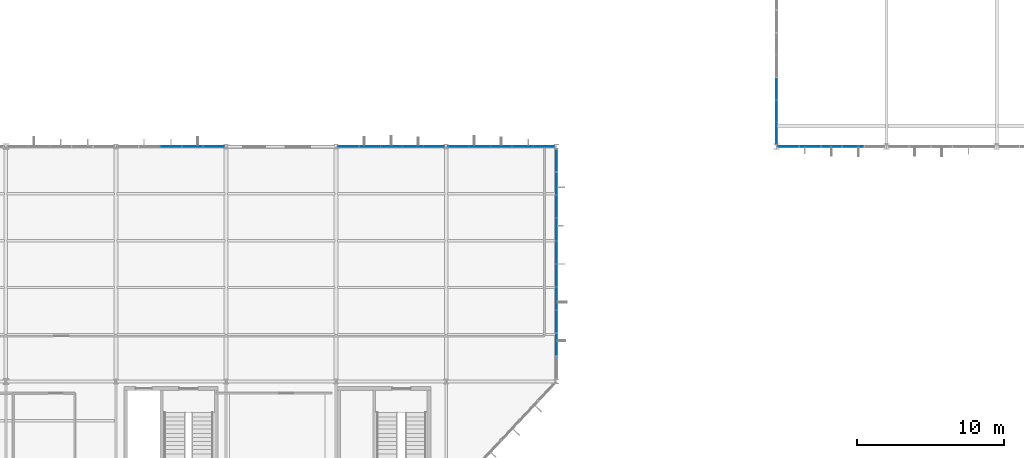
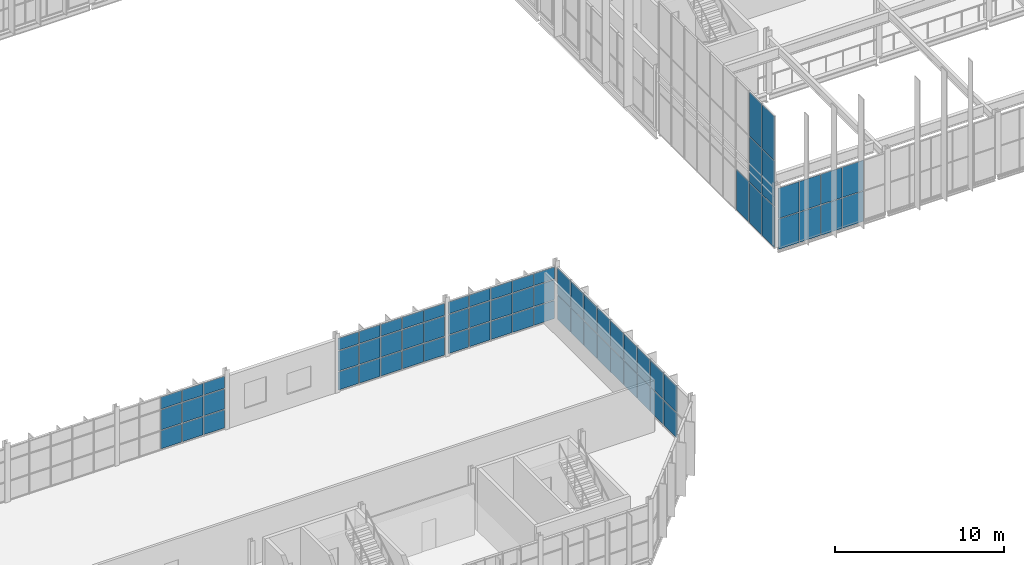
# One storey, part 270 of 324: 72 plates, 6 elements without a shape of their own.
"""IFC4 building model written with IfcOpenShell, lengths in metres."""

import ifcopenshell
import ifcopenshell.guid

model = None  # the IFC model being written
_history = None  # IfcOwnerHistory: only IFC2X3 demands one
_inside = {}  # id of a spatial element -> (the spatial element, [elements in it])
_under = {}  # id of a project, library or spatial element -> (it, [spatial elements below it])
_declared = {}  # id of a project -> (the project, [libraries it declares])
_typed = {}  # id of a type object -> (the type object, [elements of that type])
_made_of = {}  # id of a material, layer set ... -> (it, [elements and type objects made of it])


def new_model(schema):
    """Start an empty IFC model of exactly this schema.

    Asked for "IFC4X3", IfcOpenShell would pick the latest addendum, in which some entities
    have other attributes; the version numbers below select the first issue.
    IFC2X3 requires an IfcOwnerHistory on every rooted entity: one is made here for all.
    """
    global model, _history
    if schema == "IFC4X3":
        model = ifcopenshell.file(schema_version=(4, 3, 0, 0))
    else:
        model = ifcopenshell.file(schema=schema)
    _inside.clear()
    _under.clear()
    _declared.clear()
    _typed.clear()
    _made_of.clear()
    _history = None
    if model.schema == "IFC2X3":
        org = make("IfcOrganization", Name="unknown")
        user = make(
            "IfcPersonAndOrganization",
            ThePerson=make("IfcPerson", FamilyName="unknown"),
            TheOrganization=org,
        )
        app = make(
            "IfcApplication",
            ApplicationDeveloper=org,
            Version="unknown",
            ApplicationFullName="unknown",
            ApplicationIdentifier="unknown",
        )
        _history = make(
            "IfcOwnerHistory",
            OwningUser=user,
            OwningApplication=app,
            ChangeAction="ADDED",
            CreationDate=0,
        )
    return model


def make(cls, **values):
    """One entity of the class cls with the attributes given. An attribute that is None is left unset."""
    return model.create_entity(
        cls, **{name: value for name, value in values.items() if value is not None}
    )


def rooted(cls, **values):
    """An entity with a GlobalId (a new one), such as an element, a storey or a relation."""
    return make(cls, GlobalId=ifcopenshell.guid.new(), OwnerHistory=_history, **values)


def si_unit(unit_type, name, prefix=None):
    """IfcSIUnit, for example si_unit("LENGTHUNIT", "METRE", prefix="MILLI")."""
    return make("IfcSIUnit", UnitType=unit_type, Prefix=prefix, Name=name)


def assignment(units):
    """IfcUnitAssignment: the units of a project."""
    return None if units is None else make("IfcUnitAssignment", Units=units)


def point(xyz):
    """IfcCartesianPoint."""
    return None if xyz is None else make("IfcCartesianPoint", Coordinates=xyz)


def direction(xyz):
    """IfcDirection."""
    return None if xyz is None else make("IfcDirection", DirectionRatios=xyz)


def frame(location, z_axis=None, x_axis=None):
    """IfcAxis2Placement3D, a coordinate frame: its origin and axes. An axis left out is left unset."""
    return make(
        "IfcAxis2Placement3D",
        Location=point(location),
        Axis=direction(z_axis),
        RefDirection=direction(x_axis),
    )


def frame_2d(location, x_axis=None):
    """IfcAxis2Placement2D, a coordinate frame in the plane: its origin and x axis."""
    return make(
        "IfcAxis2Placement2D", Location=point(location), RefDirection=direction(x_axis)
    )


def origin():
    """The frame at (0, 0, 0) with its axes left unset."""
    return frame((0.0, 0.0, 0.0))


def origin_2d():
    """The frame at (0, 0) in the plane with its x axis left unset."""
    return frame_2d((0.0, 0.0))


def place(relative_to, where):
    """IfcLocalPlacement: puts the frame where relative to a parent placement (None: the world)."""
    return make(
        "IfcLocalPlacement", PlacementRelTo=relative_to, RelativePlacement=where
    )


def context(
    kind, dimensions, precision=None, world=None, true_north=None, identifier=None
):
    """IfcGeometricRepresentationContext, for example the 3D "Model" context."""
    return make(
        "IfcGeometricRepresentationContext",
        ContextIdentifier=identifier,
        ContextType=kind,
        CoordinateSpaceDimension=dimensions,
        Precision=precision,
        WorldCoordinateSystem=world,
        TrueNorth=true_north,
    )


def subcontext(parent, identifier, kind, view, scale=None):
    """IfcGeometricRepresentationSubContext, for example "Body" below "Model"."""
    return make(
        "IfcGeometricRepresentationSubContext",
        ContextIdentifier=identifier,
        ContextType=kind,
        ParentContext=parent,
        TargetScale=scale,
        TargetView=view,
    )


def project(units=None, contexts=None):
    """IfcProject with its units and contexts."""
    return rooted(
        "IfcProject",
        Name="project",
        RepresentationContexts=contexts,
        UnitsInContext=assignment(units),
    )


def spatial(cls, under=None, at=None, **own):
    """A site, building, storey or space (cls), placed at a placement, below another one or the project."""
    s = rooted(cls, ObjectPlacement=at, **own)
    if under is not None:
        _under.setdefault(under.id(), (under, []))[1].append(s)
    return s


def profile(cls, at=None, kind="AREA", **sizes):
    """A parametric profile (cls). Its sizes go by their IFC names, for example OverallWidth=200.0."""
    return make(cls, ProfileType=kind, Position=at, **sizes)


def rectangle(**sizes):
    """IfcRectangleProfileDef."""
    return profile("IfcRectangleProfileDef", **sizes)


def extrude(swept, where, along, depth):
    """IfcExtrudedAreaSolid: the profile swept, set in the frame where, extruded along a direction by depth."""
    return make(
        "IfcExtrudedAreaSolid",
        SweptArea=swept,
        Position=where,
        ExtrudedDirection=direction(along),
        Depth=depth,
    )


def shape(context_of_items, identifier, shape_type, items):
    """IfcShapeRepresentation: the items that make up one representation, for example the "Body"."""
    return make(
        "IfcShapeRepresentation",
        ContextOfItems=context_of_items,
        RepresentationIdentifier=identifier,
        RepresentationType=shape_type,
        Items=items,
    )


def material(Name=None, Category=None):
    """IfcMaterial."""
    return make("IfcMaterial", Name=Name, Category=Category)


def layer(
    of_material, thickness, ventilated=None, Name=None, Category=None, Priority=None
):
    """IfcMaterialLayer: one layer of a wall or slab, of a material (None: an air gap)."""
    return make(
        "IfcMaterialLayer",
        Material=of_material,
        LayerThickness=thickness,
        IsVentilated=ventilated,
        Name=Name,
        Category=Category,
        Priority=Priority,
    )


def layer_set(layers, Name=None):
    """IfcMaterialLayerSet."""
    return make("IfcMaterialLayerSet", MaterialLayers=layers, LayerSetName=Name)


def made_of(thing, what):
    """Note that an element or type object is made of a material, layer set ...; save() writes the relation."""
    if what is not None:
        _made_of.setdefault(what.id(), (what, []))[1].append(thing)
    return thing


def type_object(cls, material=None, **own):
    """A type object (cls), such as IfcWallType, which elements share."""
    return made_of(rooted(cls, **own), material)


def element(
    cls,
    number,
    at=None,
    inside=None,
    cuts=None,
    type_object=None,
    material=None,
    context=None,
    identifier="Body",
    shape_type=None,
    held_by="IfcProductDefinitionShape",
    body=None,
    shapes=None,
    **own,
):
    """One element of the class cls, such as IfcWall. Its Tag is "e" and its number.

    at: its placement. inside: the storey or other place that contains it. cuts: it is an
    opening in that element (IfcRelVoidsElement). A single representation is given by context,
    identifier, shape_type and body (its items); several are given by shapes. held_by: the class
    of the entity that holds the representations. save() writes the other relations.
    """
    e = rooted(cls, Tag="e%d" % number, ObjectPlacement=at, **own)
    if body is not None:
        shapes = [shape(context, identifier, shape_type, body)]
    if shapes is not None:
        e.Representation = make(held_by, Representations=shapes)
    if inside is not None:
        _inside.setdefault(inside.id(), (inside, []))[1].append(e)
    if cuts is not None:
        rooted(
            "IfcRelVoidsElement", RelatingBuildingElement=cuts, RelatedOpeningElement=e
        )
    if type_object is not None:
        _typed.setdefault(type_object.id(), (type_object, []))[1].append(e)
    return made_of(e, material)


def aggregate(whole, parts):
    """IfcRelAggregates: a whole, such as a stair, and the parts it consists of."""
    return rooted("IfcRelAggregates", RelatingObject=whole, RelatedObjects=parts)


def save(model, path):
    """Write the relations noted so far, then the file.

    IfcRelAggregates (storeys below a building ...), IfcRelContainedInSpatialStructure (elements
    in a storey), IfcRelDefinesByType, IfcRelAssociatesMaterial and IfcRelDeclares: one each for
    every whole, place, type object, material and project.
    """
    for whole, parts in _under.values():
        aggregate(whole, parts)
    for where, things in _inside.values():
        rooted(
            "IfcRelContainedInSpatialStructure",
            RelatedElements=things,
            RelatingStructure=where,
        )
    for kind, things in _typed.values():
        rooted("IfcRelDefinesByType", RelatedObjects=things, RelatingType=kind)
    for what, things in _made_of.values():
        rooted("IfcRelAssociatesMaterial", RelatedObjects=things, RelatingMaterial=what)
    for by, libraries in _declared.values():
        rooted("IfcRelDeclares", RelatingContext=by, RelatedDefinitions=libraries)
    model.write(path)


model = new_model("IFC4")

# Units and contexts
model_context = context("Model", 3, precision=1e-05, world=origin(), true_north=direction((0.0, 1.0)))
body_context = subcontext(model_context, "Body", "Model", "MODEL_VIEW")
ifc_project = project(units=[si_unit("LENGTHUNIT", "METRE"), si_unit("AREAUNIT", "SQUARE_METRE"), si_unit("VOLUMEUNIT", "CUBIC_METRE"), si_unit("PLANEANGLEUNIT", "RADIAN"), si_unit("MASSUNIT", "GRAM", prefix="KILO")], contexts=[model_context])

# Site, building, storey
site_placement = place(None, origin())
site = spatial("IfcSite", under=ifc_project, at=site_placement, CompositionType="ELEMENT")
building_placement = place(site_placement, origin())
building = spatial("IfcBuilding", under=site, at=building_placement, Name="Solvenia Promenade Tram Depot", CompositionType="ELEMENT")
storey_placement = place(building_placement, frame((0.0, 0.0, 4.5)))
storey = spatial("IfcBuildingStorey", under=building, at=storey_placement, Name="L01", CompositionType="ELEMENT", Elevation=4.5)

# Curtain wall, plates
ifc_material_1 = material(Name="Anodized aluminium AW-6063 T6", Category="aluminium")
ifc_layer_1 = layer(ifc_material_1, 0.080078125, Name="Anodized aluminium AW-6063 T6", Category="aluminium")
ifc_layer_set_1 = layer_set([ifc_layer_1], Name="Anodized aluminium AW-6063 T6")
curtain_wall_type_1 = type_object("IfcCurtainWallType", Name="CW-Clerest-1500", PredefinedType="NOTDEFINED", material=ifc_layer_set_1)
curtain_wall_1_placement = place(storey_placement, origin())
curtain_wall_1 = element("IfcCurtainWall", 1, at=curtain_wall_1_placement, inside=storey, type_object=curtain_wall_type_1, Name="Curtain Wall CW-V2S-L1-01", PredefinedType="NOTDEFINED")
ifc_material_2 = material(Name="Double low-e argon insulated glass", Category="glass")
ifc_layer_2 = layer(ifc_material_2, 0.031982421875, Name="Double low-e argon insulated glass", Category="glass")
ifc_layer_set_2 = layer_set([ifc_layer_2], Name="Double low-e argon insulated glass")
plate_type = type_object("IfcPlateType", Name="CWP-Panel-2", PredefinedType="CURTAIN_PANEL", material=ifc_layer_set_2)
plate_1_placement = place(storey_placement, frame((105.82763671875, 24.0, -0.294921875), z_axis=(0.0, 0.0, 1.0), x_axis=(1.0, 0.0, 0.0)))
plate_1 = element("IfcPlate", 2, at=plate_1_placement, type_object=plate_type, Name="CW-4 panel 1.1", PredefinedType="CURTAIN_PANEL", context=body_context, shape_type="SweptSolid", body=[
    extrude(rectangle(XDim=1.385498046875, YDim=0.031982421875, at=origin_2d()), origin(), (0.0, 0.0, 1.0), 2.16748046875),
])
plate_2_placement = place(storey_placement, frame((105.82763671875, 24.0, 1.927490234375), z_axis=(0.0, 0.0, 1.0), x_axis=(1.0, 0.0, 0.0)))
plate_2 = element("IfcPlate", 3, at=plate_2_placement, type_object=plate_type, Name="CW-4 panel 1.2", PredefinedType="CURTAIN_PANEL", context=body_context, shape_type="SweptSolid", body=[
    extrude(rectangle(XDim=1.385498046875, YDim=0.031982421875, at=origin_2d()), origin(), (0.0, 0.0, 1.0), 2.16748046875),
])
plate_3_placement = place(storey_placement, frame((107.281982421875, 24.0, -0.294921875), z_axis=(0.0, 0.0, 1.0), x_axis=(1.0, 0.0, 0.0)))
plate_3 = element("IfcPlate", 4, at=plate_3_placement, type_object=plate_type, Name="CW-4 panel 2.1", PredefinedType="CURTAIN_PANEL", context=body_context, shape_type="SweptSolid", body=[
    extrude(rectangle(XDim=1.4130859375, YDim=0.031982421875, at=origin_2d()), origin(), (0.0, 0.0, 1.0), 2.16748046875),
])
plate_4_placement = place(storey_placement, frame((107.281982421875, 24.0, 1.927490234375), z_axis=(0.0, 0.0, 1.0), x_axis=(1.0, 0.0, 0.0)))
plate_4 = element("IfcPlate", 5, at=plate_4_placement, type_object=plate_type, Name="CW-4 panel 2.2", PredefinedType="CURTAIN_PANEL", context=body_context, shape_type="SweptSolid", body=[
    extrude(rectangle(XDim=1.4130859375, YDim=0.031982421875, at=origin_2d()), origin(), (0.0, 0.0, 1.0), 2.16748046875),
])
plate_5_placement = place(storey_placement, frame((108.75, 24.0, -0.294921875), z_axis=(0.0, 0.0, 1.0), x_axis=(1.0, 0.0, 0.0)))
plate_5 = element("IfcPlate", 6, at=plate_5_placement, type_object=plate_type, Name="CW-4 panel 3.1", PredefinedType="CURTAIN_PANEL", context=body_context, shape_type="SweptSolid", body=[
    extrude(rectangle(XDim=1.4130859375, YDim=0.031982421875, at=origin_2d()), origin(), (0.0, 0.0, 1.0), 2.16748046875),
])
plate_6_placement = place(storey_placement, frame((108.75, 24.0, 1.927490234375), z_axis=(0.0, 0.0, 1.0), x_axis=(1.0, 0.0, 0.0)))
plate_6 = element("IfcPlate", 7, at=plate_6_placement, type_object=plate_type, Name="CW-4 panel 3.2", PredefinedType="CURTAIN_PANEL", context=body_context, shape_type="SweptSolid", body=[
    extrude(rectangle(XDim=1.4130859375, YDim=0.031982421875, at=origin_2d()), origin(), (0.0, 0.0, 1.0), 2.16748046875),
])
plate_7_placement = place(storey_placement, frame((110.218017578125, 24.0, -0.294921875), z_axis=(0.0, 0.0, 1.0), x_axis=(1.0, 0.0, 0.0)))
plate_7 = element("IfcPlate", 8, at=plate_7_placement, type_object=plate_type, Name="CW-4 panel 4.1", PredefinedType="CURTAIN_PANEL", context=body_context, shape_type="SweptSolid", body=[
    extrude(rectangle(XDim=1.4130859375, YDim=0.031982421875, at=origin_2d()), origin(), (0.0, 0.0, 1.0), 2.16748046875),
])
plate_8_placement = place(storey_placement, frame((110.218017578125, 24.0, 1.927490234375), z_axis=(0.0, 0.0, 1.0), x_axis=(1.0, 0.0, 0.0)))
plate_8 = element("IfcPlate", 9, at=plate_8_placement, type_object=plate_type, Name="CW-4 panel 4.2", PredefinedType="CURTAIN_PANEL", context=body_context, shape_type="SweptSolid", body=[
    extrude(rectangle(XDim=1.4130859375, YDim=0.031982421875, at=origin_2d()), origin(), (0.0, 0.0, 1.0), 2.16748046875),
])
aggregate(curtain_wall_1, [plate_1, plate_2, plate_3, plate_4, plate_5, plate_6, plate_7, plate_8])

curtain_wall_2_placement = place(storey_placement, origin())
curtain_wall_2 = element("IfcCurtainWall", 10, at=curtain_wall_2_placement, inside=storey, type_object=curtain_wall_type_1, Name="Curtain Wall CW-V2W-CRANE-L1", PredefinedType="NOTDEFINED")
plate_9_placement = place(storey_placement, frame((105.0, 24.9248046875, -0.244873046875), z_axis=(0.0, 0.0, 1.0), x_axis=(0.0, 1.0, 0.0)))
plate_9 = element("IfcPlate", 11, at=plate_9_placement, type_object=plate_type, Name="CW-4 panel 1.1", PredefinedType="CURTAIN_PANEL", context=body_context, shape_type="SweptSolid", body=[
    extrude(rectangle(XDim=1.439697265625, YDim=0.031982421875, at=origin_2d()), origin(), (0.0, 0.0, 1.0), 2.91748046875),
])
plate_10_placement = place(storey_placement, frame((105.0, 24.9248046875, 2.7275390625), z_axis=(0.0, 0.0, 1.0), x_axis=(0.0, 1.0, 0.0)))
plate_10 = element("IfcPlate", 12, at=plate_10_placement, type_object=plate_type, Name="CW-4 panel 1.2", PredefinedType="CURTAIN_PANEL", context=body_context, shape_type="SweptSolid", body=[
    extrude(rectangle(XDim=1.439697265625, YDim=0.031982421875, at=origin_2d()), origin(), (0.0, 0.0, 1.0), 3.2451171875),
])
plate_11_placement = place(storey_placement, frame((105.0, 24.9248046875, 6.027587890625), z_axis=(0.0, 0.0, 1.0), x_axis=(0.0, 1.0, 0.0)))
plate_11 = element("IfcPlate", 13, at=plate_11_placement, type_object=plate_type, Name="CW-4 panel 1.3", PredefinedType="CURTAIN_PANEL", context=body_context, shape_type="SweptSolid", body=[
    extrude(rectangle(XDim=1.439697265625, YDim=0.031982421875, at=origin_2d()), origin(), (0.0, 0.0, 1.0), 3.16748046875),
])
plate_12_placement = place(storey_placement, frame((105.0, 26.433349609375, -0.244873046875), z_axis=(0.0, 0.0, 1.0), x_axis=(0.0, 1.0, 0.0)))
plate_12 = element("IfcPlate", 14, at=plate_12_placement, type_object=plate_type, Name="CW-4 panel 2.1", PredefinedType="CURTAIN_PANEL", context=body_context, shape_type="SweptSolid", body=[
    extrude(rectangle(XDim=1.46728515625, YDim=0.031982421875, at=origin_2d()), origin(), (0.0, 0.0, 1.0), 2.91748046875),
])
plate_13_placement = place(storey_placement, frame((105.0, 26.433349609375, 2.7275390625), z_axis=(0.0, 0.0, 1.0), x_axis=(0.0, 1.0, 0.0)))
plate_13 = element("IfcPlate", 15, at=plate_13_placement, type_object=plate_type, Name="CW-4 panel 2.2", PredefinedType="CURTAIN_PANEL", context=body_context, shape_type="SweptSolid", body=[
    extrude(rectangle(XDim=1.46728515625, YDim=0.031982421875, at=origin_2d()), origin(), (0.0, 0.0, 1.0), 3.2451171875),
])
plate_14_placement = place(storey_placement, frame((105.0, 26.433349609375, 6.027587890625), z_axis=(0.0, 0.0, 1.0), x_axis=(0.0, 1.0, 0.0)))
plate_14 = element("IfcPlate", 16, at=plate_14_placement, type_object=plate_type, Name="CW-4 panel 2.3", PredefinedType="CURTAIN_PANEL", context=body_context, shape_type="SweptSolid", body=[
    extrude(rectangle(XDim=1.46728515625, YDim=0.031982421875, at=origin_2d()), origin(), (0.0, 0.0, 1.0), 3.16748046875),
])
plate_15_placement = place(storey_placement, frame((105.0, 27.95556640625, -0.244873046875), z_axis=(0.0, 0.0, 1.0), x_axis=(0.0, 1.0, 0.0)))
plate_15 = element("IfcPlate", 17, at=plate_15_placement, type_object=plate_type, Name="CW-4 panel 3.1", PredefinedType="CURTAIN_PANEL", context=body_context, shape_type="SweptSolid", body=[
    extrude(rectangle(XDim=1.46728515625, YDim=0.031982421875, at=origin_2d()), origin(), (0.0, 0.0, 1.0), 2.91748046875),
])
aggregate(curtain_wall_2, [plate_9, plate_10, plate_11, plate_12, plate_13, plate_14, plate_15])

ifc_layer_3 = layer(ifc_material_1, 0.14990234375, Name="Anodized aluminium AW-6063 T6", Category="aluminium")
ifc_layer_set_3 = layer_set([ifc_layer_3], Name="Anodized aluminium AW-6063 T6")
curtain_wall_type_2 = type_object("IfcCurtainWallType", Name="CW-Court-1500", PredefinedType="NOTDEFINED", material=ifc_layer_set_3)
curtain_wall_3_placement = place(storey_placement, origin())
curtain_wall_3 = element("IfcCurtainWall", 18, at=curtain_wall_3_placement, inside=storey, type_object=curtain_wall_type_2, Name="Curtain Wall CW-V4N-L01-09", PredefinedType="NOTDEFINED")
plate_16_placement = place(storey_placement, frame((63.75, 24.0, 0.06494140625), z_axis=(0.0, 0.0, 1.0), x_axis=(1.0, 0.0, 0.0)))
plate_16 = element("IfcPlate", 19, at=plate_16_placement, type_object=plate_type, Name="CW-5 panel 3.1", PredefinedType="CURTAIN_PANEL", context=body_context, shape_type="SweptSolid", body=[
    extrude(rectangle(XDim=1.41796875, YDim=0.031982421875, at=origin_2d()), origin(), (0.0, 0.0, 1.0), 1.302490234375),
])
plate_17_placement = place(storey_placement, frame((63.75, 24.0, 1.432373046875), z_axis=(0.0, 0.0, 1.0), x_axis=(1.0, 0.0, 0.0)))
plate_17 = element("IfcPlate", 20, at=plate_17_placement, type_object=plate_type, Name="CW-5 panel 3.2", PredefinedType="CURTAIN_PANEL", context=body_context, shape_type="SweptSolid", body=[
    extrude(rectangle(XDim=1.41796875, YDim=0.031982421875, at=origin_2d()), origin(), (0.0, 0.0, 1.0), 1.43505859375),
])
plate_18_placement = place(storey_placement, frame((63.75, 24.0, 2.932373046875), z_axis=(0.0, 0.0, 1.0), x_axis=(1.0, 0.0, 0.0)))
plate_18 = element("IfcPlate", 21, at=plate_18_placement, type_object=plate_type, Name="CW-5 panel 3.3", PredefinedType="CURTAIN_PANEL", context=body_context, shape_type="SweptSolid", body=[
    extrude(rectangle(XDim=1.41796875, YDim=0.031982421875, at=origin_2d()), origin(), (0.0, 0.0, 1.0), 0.8525390625),
])
plate_19_placement = place(storey_placement, frame((65.218017578125, 24.0, 0.06494140625), z_axis=(0.0, 0.0, 1.0), x_axis=(1.0, 0.0, 0.0)))
plate_19 = element("IfcPlate", 22, at=plate_19_placement, type_object=plate_type, Name="CW-5 panel 4.1", PredefinedType="CURTAIN_PANEL", context=body_context, shape_type="SweptSolid", body=[
    extrude(rectangle(XDim=1.41796875, YDim=0.031982421875, at=origin_2d()), origin(), (0.0, 0.0, 1.0), 1.302490234375),
])
plate_20_placement = place(storey_placement, frame((65.218017578125, 24.0, 1.432373046875), z_axis=(0.0, 0.0, 1.0), x_axis=(1.0, 0.0, 0.0)))
plate_20 = element("IfcPlate", 23, at=plate_20_placement, type_object=plate_type, Name="CW-5 panel 4.2", PredefinedType="CURTAIN_PANEL", context=body_context, shape_type="SweptSolid", body=[
    extrude(rectangle(XDim=1.41796875, YDim=0.031982421875, at=origin_2d()), origin(), (0.0, 0.0, 1.0), 1.43505859375),
])
plate_21_placement = place(storey_placement, frame((65.218017578125, 24.0, 2.932373046875), z_axis=(0.0, 0.0, 1.0), x_axis=(1.0, 0.0, 0.0)))
plate_21 = element("IfcPlate", 24, at=plate_21_placement, type_object=plate_type, Name="CW-5 panel 4.3", PredefinedType="CURTAIN_PANEL", context=body_context, shape_type="SweptSolid", body=[
    extrude(rectangle(XDim=1.41796875, YDim=0.031982421875, at=origin_2d()), origin(), (0.0, 0.0, 1.0), 0.8525390625),
])
plate_22_placement = place(storey_placement, frame((66.673583984375, 24.0, 0.06494140625), z_axis=(0.0, 0.0, 1.0), x_axis=(1.0, 0.0, 0.0)))
plate_22 = element("IfcPlate", 25, at=plate_22_placement, type_object=plate_type, Name="CW-5 panel 5.1", PredefinedType="CURTAIN_PANEL", context=body_context, shape_type="SweptSolid", body=[
    extrude(rectangle(XDim=1.39306640625, YDim=0.031982421875, at=origin_2d()), origin(), (0.0, 0.0, 1.0), 1.302490234375),
])
plate_23_placement = place(storey_placement, frame((66.673583984375, 24.0, 1.432373046875), z_axis=(0.0, 0.0, 1.0), x_axis=(1.0, 0.0, 0.0)))
plate_23 = element("IfcPlate", 26, at=plate_23_placement, type_object=plate_type, Name="CW-5 panel 5.2", PredefinedType="CURTAIN_PANEL", context=body_context, shape_type="SweptSolid", body=[
    extrude(rectangle(XDim=1.39306640625, YDim=0.031982421875, at=origin_2d()), origin(), (0.0, 0.0, 1.0), 1.43505859375),
])
plate_24_placement = place(storey_placement, frame((66.673583984375, 24.0, 2.932373046875), z_axis=(0.0, 0.0, 1.0), x_axis=(1.0, 0.0, 0.0)))
plate_24 = element("IfcPlate", 27, at=plate_24_placement, type_object=plate_type, Name="CW-5 panel 5.3", PredefinedType="CURTAIN_PANEL", context=body_context, shape_type="SweptSolid", body=[
    extrude(rectangle(XDim=1.39306640625, YDim=0.031982421875, at=origin_2d()), origin(), (0.0, 0.0, 1.0), 0.8525390625),
])
aggregate(curtain_wall_3, [plate_16, plate_17, plate_18, plate_19, plate_20, plate_21, plate_22, plate_23, plate_24])

curtain_wall_4_placement = place(storey_placement, origin())
curtain_wall_4 = element("IfcCurtainWall", 28, at=curtain_wall_4_placement, inside=storey, type_object=curtain_wall_type_2, Name="Curtain Wall CW-V4N-L01-11", PredefinedType="NOTDEFINED")
plate_25_placement = place(storey_placement, frame((75.826416015625, 24.0, 0.06494140625), z_axis=(0.0, 0.0, 1.0), x_axis=(1.0, 0.0, 0.0)))
plate_25 = element("IfcPlate", 29, at=plate_25_placement, type_object=plate_type, Name="CW-5 panel 1.1", PredefinedType="CURTAIN_PANEL", context=body_context, shape_type="SweptSolid", body=[
    extrude(rectangle(XDim=1.39306640625, YDim=0.031982421875, at=origin_2d()), origin(), (0.0, 0.0, 1.0), 1.302490234375),
])
plate_26_placement = place(storey_placement, frame((75.826416015625, 24.0, 1.432373046875), z_axis=(0.0, 0.0, 1.0), x_axis=(1.0, 0.0, 0.0)))
plate_26 = element("IfcPlate", 30, at=plate_26_placement, type_object=plate_type, Name="CW-5 panel 1.2", PredefinedType="CURTAIN_PANEL", context=body_context, shape_type="SweptSolid", body=[
    extrude(rectangle(XDim=1.39306640625, YDim=0.031982421875, at=origin_2d()), origin(), (0.0, 0.0, 1.0), 1.43505859375),
])
plate_27_placement = place(storey_placement, frame((75.826416015625, 24.0, 2.932373046875), z_axis=(0.0, 0.0, 1.0), x_axis=(1.0, 0.0, 0.0)))
plate_27 = element("IfcPlate", 31, at=plate_27_placement, type_object=plate_type, Name="CW-5 panel 1.3", PredefinedType="CURTAIN_PANEL", context=body_context, shape_type="SweptSolid", body=[
    extrude(rectangle(XDim=1.39306640625, YDim=0.031982421875, at=origin_2d()), origin(), (0.0, 0.0, 1.0), 0.8525390625),
])
plate_28_placement = place(storey_placement, frame((77.281982421875, 24.0, 0.06494140625), z_axis=(0.0, 0.0, 1.0), x_axis=(1.0, 0.0, 0.0)))
plate_28 = element("IfcPlate", 32, at=plate_28_placement, type_object=plate_type, Name="CW-5 panel 2.1", PredefinedType="CURTAIN_PANEL", context=body_context, shape_type="SweptSolid", body=[
    extrude(rectangle(XDim=1.41796875, YDim=0.031982421875, at=origin_2d()), origin(), (0.0, 0.0, 1.0), 1.302490234375),
])
plate_29_placement = place(storey_placement, frame((77.281982421875, 24.0, 1.432373046875), z_axis=(0.0, 0.0, 1.0), x_axis=(1.0, 0.0, 0.0)))
plate_29 = element("IfcPlate", 33, at=plate_29_placement, type_object=plate_type, Name="CW-5 panel 2.2", PredefinedType="CURTAIN_PANEL", context=body_context, shape_type="SweptSolid", body=[
    extrude(rectangle(XDim=1.41796875, YDim=0.031982421875, at=origin_2d()), origin(), (0.0, 0.0, 1.0), 1.43505859375),
])
plate_30_placement = place(storey_placement, frame((77.281982421875, 24.0, 2.932373046875), z_axis=(0.0, 0.0, 1.0), x_axis=(1.0, 0.0, 0.0)))
plate_30 = element("IfcPlate", 34, at=plate_30_placement, type_object=plate_type, Name="CW-5 panel 2.3", PredefinedType="CURTAIN_PANEL", context=body_context, shape_type="SweptSolid", body=[
    extrude(rectangle(XDim=1.41796875, YDim=0.031982421875, at=origin_2d()), origin(), (0.0, 0.0, 1.0), 0.8525390625),
])
plate_31_placement = place(storey_placement, frame((78.75, 24.0, 0.06494140625), z_axis=(0.0, 0.0, 1.0), x_axis=(1.0, 0.0, 0.0)))
plate_31 = element("IfcPlate", 35, at=plate_31_placement, type_object=plate_type, Name="CW-5 panel 3.1", PredefinedType="CURTAIN_PANEL", context=body_context, shape_type="SweptSolid", body=[
    extrude(rectangle(XDim=1.41796875, YDim=0.031982421875, at=origin_2d()), origin(), (0.0, 0.0, 1.0), 1.302490234375),
])
plate_32_placement = place(storey_placement, frame((78.75, 24.0, 1.432373046875), z_axis=(0.0, 0.0, 1.0), x_axis=(1.0, 0.0, 0.0)))
plate_32 = element("IfcPlate", 36, at=plate_32_placement, type_object=plate_type, Name="CW-5 panel 3.2", PredefinedType="CURTAIN_PANEL", context=body_context, shape_type="SweptSolid", body=[
    extrude(rectangle(XDim=1.41796875, YDim=0.031982421875, at=origin_2d()), origin(), (0.0, 0.0, 1.0), 1.43505859375),
])
plate_33_placement = place(storey_placement, frame((78.75, 24.0, 2.932373046875), z_axis=(0.0, 0.0, 1.0), x_axis=(1.0, 0.0, 0.0)))
plate_33 = element("IfcPlate", 37, at=plate_33_placement, type_object=plate_type, Name="CW-5 panel 3.3", PredefinedType="CURTAIN_PANEL", context=body_context, shape_type="SweptSolid", body=[
    extrude(rectangle(XDim=1.41796875, YDim=0.031982421875, at=origin_2d()), origin(), (0.0, 0.0, 1.0), 0.8525390625),
])
plate_34_placement = place(storey_placement, frame((80.218017578125, 24.0, 0.06494140625), z_axis=(0.0, 0.0, 1.0), x_axis=(1.0, 0.0, 0.0)))
plate_34 = element("IfcPlate", 38, at=plate_34_placement, type_object=plate_type, Name="CW-5 panel 4.1", PredefinedType="CURTAIN_PANEL", context=body_context, shape_type="SweptSolid", body=[
    extrude(rectangle(XDim=1.41796875, YDim=0.031982421875, at=origin_2d()), origin(), (0.0, 0.0, 1.0), 1.302490234375),
])
plate_35_placement = place(storey_placement, frame((80.218017578125, 24.0, 1.432373046875), z_axis=(0.0, 0.0, 1.0), x_axis=(1.0, 0.0, 0.0)))
plate_35 = element("IfcPlate", 39, at=plate_35_placement, type_object=plate_type, Name="CW-5 panel 4.2", PredefinedType="CURTAIN_PANEL", context=body_context, shape_type="SweptSolid", body=[
    extrude(rectangle(XDim=1.41796875, YDim=0.031982421875, at=origin_2d()), origin(), (0.0, 0.0, 1.0), 1.43505859375),
])
plate_36_placement = place(storey_placement, frame((80.218017578125, 24.0, 2.932373046875), z_axis=(0.0, 0.0, 1.0), x_axis=(1.0, 0.0, 0.0)))
plate_36 = element("IfcPlate", 40, at=plate_36_placement, type_object=plate_type, Name="CW-5 panel 4.3", PredefinedType="CURTAIN_PANEL", context=body_context, shape_type="SweptSolid", body=[
    extrude(rectangle(XDim=1.41796875, YDim=0.031982421875, at=origin_2d()), origin(), (0.0, 0.0, 1.0), 0.8525390625),
])
plate_37_placement = place(storey_placement, frame((81.673583984375, 24.0, 0.06494140625), z_axis=(0.0, 0.0, 1.0), x_axis=(1.0, 0.0, 0.0)))
plate_37 = element("IfcPlate", 41, at=plate_37_placement, type_object=plate_type, Name="CW-5 panel 5.1", PredefinedType="CURTAIN_PANEL", context=body_context, shape_type="SweptSolid", body=[
    extrude(rectangle(XDim=1.39306640625, YDim=0.031982421875, at=origin_2d()), origin(), (0.0, 0.0, 1.0), 1.302490234375),
])
plate_38_placement = place(storey_placement, frame((81.673583984375, 24.0, 1.432373046875), z_axis=(0.0, 0.0, 1.0), x_axis=(1.0, 0.0, 0.0)))
plate_38 = element("IfcPlate", 42, at=plate_38_placement, type_object=plate_type, Name="CW-5 panel 5.2", PredefinedType="CURTAIN_PANEL", context=body_context, shape_type="SweptSolid", body=[
    extrude(rectangle(XDim=1.39306640625, YDim=0.031982421875, at=origin_2d()), origin(), (0.0, 0.0, 1.0), 1.43505859375),
])
plate_39_placement = place(storey_placement, frame((81.673583984375, 24.0, 2.932373046875), z_axis=(0.0, 0.0, 1.0), x_axis=(1.0, 0.0, 0.0)))
plate_39 = element("IfcPlate", 43, at=plate_39_placement, type_object=plate_type, Name="CW-5 panel 5.3", PredefinedType="CURTAIN_PANEL", context=body_context, shape_type="SweptSolid", body=[
    extrude(rectangle(XDim=1.39306640625, YDim=0.031982421875, at=origin_2d()), origin(), (0.0, 0.0, 1.0), 0.8525390625),
])
aggregate(curtain_wall_4, [plate_25, plate_26, plate_27, plate_28, plate_29, plate_30, plate_31, plate_32, plate_33, plate_34, plate_35, plate_36, plate_37, plate_38, plate_39])

curtain_wall_5_placement = place(storey_placement, origin())
curtain_wall_5 = element("IfcCurtainWall", 44, at=curtain_wall_5_placement, inside=storey, type_object=curtain_wall_type_2, Name="Curtain Wall CW-V4N-L01-12", PredefinedType="NOTDEFINED")
plate_40_placement = place(storey_placement, frame((83.326416015625, 24.0, 0.06494140625), z_axis=(0.0, 0.0, 1.0), x_axis=(1.0, 0.0, 0.0)))
plate_40 = element("IfcPlate", 45, at=plate_40_placement, type_object=plate_type, Name="CW-5 panel 1.1", PredefinedType="CURTAIN_PANEL", context=body_context, shape_type="SweptSolid", body=[
    extrude(rectangle(XDim=1.39306640625, YDim=0.031982421875, at=origin_2d()), origin(), (0.0, 0.0, 1.0), 1.302490234375),
])
plate_41_placement = place(storey_placement, frame((83.326416015625, 24.0, 1.432373046875), z_axis=(0.0, 0.0, 1.0), x_axis=(1.0, 0.0, 0.0)))
plate_41 = element("IfcPlate", 46, at=plate_41_placement, type_object=plate_type, Name="CW-5 panel 1.2", PredefinedType="CURTAIN_PANEL", context=body_context, shape_type="SweptSolid", body=[
    extrude(rectangle(XDim=1.39306640625, YDim=0.031982421875, at=origin_2d()), origin(), (0.0, 0.0, 1.0), 1.43505859375),
])
plate_42_placement = place(storey_placement, frame((83.326416015625, 24.0, 2.932373046875), z_axis=(0.0, 0.0, 1.0), x_axis=(1.0, 0.0, 0.0)))
plate_42 = element("IfcPlate", 47, at=plate_42_placement, type_object=plate_type, Name="CW-5 panel 1.3", PredefinedType="CURTAIN_PANEL", context=body_context, shape_type="SweptSolid", body=[
    extrude(rectangle(XDim=1.39306640625, YDim=0.031982421875, at=origin_2d()), origin(), (0.0, 0.0, 1.0), 0.8525390625),
])
plate_43_placement = place(storey_placement, frame((84.781982421875, 24.0, 0.06494140625), z_axis=(0.0, 0.0, 1.0), x_axis=(1.0, 0.0, 0.0)))
plate_43 = element("IfcPlate", 48, at=plate_43_placement, type_object=plate_type, Name="CW-5 panel 2.1", PredefinedType="CURTAIN_PANEL", context=body_context, shape_type="SweptSolid", body=[
    extrude(rectangle(XDim=1.41796875, YDim=0.031982421875, at=origin_2d()), origin(), (0.0, 0.0, 1.0), 1.302490234375),
])
plate_44_placement = place(storey_placement, frame((84.781982421875, 24.0, 1.432373046875), z_axis=(0.0, 0.0, 1.0), x_axis=(1.0, 0.0, 0.0)))
plate_44 = element("IfcPlate", 49, at=plate_44_placement, type_object=plate_type, Name="CW-5 panel 2.2", PredefinedType="CURTAIN_PANEL", context=body_context, shape_type="SweptSolid", body=[
    extrude(rectangle(XDim=1.41796875, YDim=0.031982421875, at=origin_2d()), origin(), (0.0, 0.0, 1.0), 1.43505859375),
])
plate_45_placement = place(storey_placement, frame((84.781982421875, 24.0, 2.932373046875), z_axis=(0.0, 0.0, 1.0), x_axis=(1.0, 0.0, 0.0)))
plate_45 = element("IfcPlate", 50, at=plate_45_placement, type_object=plate_type, Name="CW-5 panel 2.3", PredefinedType="CURTAIN_PANEL", context=body_context, shape_type="SweptSolid", body=[
    extrude(rectangle(XDim=1.41796875, YDim=0.031982421875, at=origin_2d()), origin(), (0.0, 0.0, 1.0), 0.8525390625),
])
plate_46_placement = place(storey_placement, frame((86.25, 24.0, 0.06494140625), z_axis=(0.0, 0.0, 1.0), x_axis=(1.0, 0.0, 0.0)))
plate_46 = element("IfcPlate", 51, at=plate_46_placement, type_object=plate_type, Name="CW-5 panel 3.1", PredefinedType="CURTAIN_PANEL", context=body_context, shape_type="SweptSolid", body=[
    extrude(rectangle(XDim=1.41796875, YDim=0.031982421875, at=origin_2d()), origin(), (0.0, 0.0, 1.0), 1.302490234375),
])
plate_47_placement = place(storey_placement, frame((86.25, 24.0, 1.432373046875), z_axis=(0.0, 0.0, 1.0), x_axis=(1.0, 0.0, 0.0)))
plate_47 = element("IfcPlate", 52, at=plate_47_placement, type_object=plate_type, Name="CW-5 panel 3.2", PredefinedType="CURTAIN_PANEL", context=body_context, shape_type="SweptSolid", body=[
    extrude(rectangle(XDim=1.41796875, YDim=0.031982421875, at=origin_2d()), origin(), (0.0, 0.0, 1.0), 1.43505859375),
])
plate_48_placement = place(storey_placement, frame((86.25, 24.0, 2.932373046875), z_axis=(0.0, 0.0, 1.0), x_axis=(1.0, 0.0, 0.0)))
plate_48 = element("IfcPlate", 53, at=plate_48_placement, type_object=plate_type, Name="CW-5 panel 3.3", PredefinedType="CURTAIN_PANEL", context=body_context, shape_type="SweptSolid", body=[
    extrude(rectangle(XDim=1.41796875, YDim=0.031982421875, at=origin_2d()), origin(), (0.0, 0.0, 1.0), 0.8525390625),
])
plate_49_placement = place(storey_placement, frame((87.718017578125, 24.0, 0.06494140625), z_axis=(0.0, 0.0, 1.0), x_axis=(1.0, 0.0, 0.0)))
plate_49 = element("IfcPlate", 54, at=plate_49_placement, type_object=plate_type, Name="CW-5 panel 4.1", PredefinedType="CURTAIN_PANEL", context=body_context, shape_type="SweptSolid", body=[
    extrude(rectangle(XDim=1.41796875, YDim=0.031982421875, at=origin_2d()), origin(), (0.0, 0.0, 1.0), 1.302490234375),
])
plate_50_placement = place(storey_placement, frame((87.718017578125, 24.0, 1.432373046875), z_axis=(0.0, 0.0, 1.0), x_axis=(1.0, 0.0, 0.0)))
plate_50 = element("IfcPlate", 55, at=plate_50_placement, type_object=plate_type, Name="CW-5 panel 4.2", PredefinedType="CURTAIN_PANEL", context=body_context, shape_type="SweptSolid", body=[
    extrude(rectangle(XDim=1.41796875, YDim=0.031982421875, at=origin_2d()), origin(), (0.0, 0.0, 1.0), 1.43505859375),
])
plate_51_placement = place(storey_placement, frame((87.718017578125, 24.0, 2.932373046875), z_axis=(0.0, 0.0, 1.0), x_axis=(1.0, 0.0, 0.0)))
plate_51 = element("IfcPlate", 56, at=plate_51_placement, type_object=plate_type, Name="CW-5 panel 4.3", PredefinedType="CURTAIN_PANEL", context=body_context, shape_type="SweptSolid", body=[
    extrude(rectangle(XDim=1.41796875, YDim=0.031982421875, at=origin_2d()), origin(), (0.0, 0.0, 1.0), 0.8525390625),
])
plate_52_placement = place(storey_placement, frame((89.173583984375, 24.0, 0.06494140625), z_axis=(0.0, 0.0, 1.0), x_axis=(1.0, 0.0, 0.0)))
plate_52 = element("IfcPlate", 57, at=plate_52_placement, type_object=plate_type, Name="CW-5 panel 5.1", PredefinedType="CURTAIN_PANEL", context=body_context, shape_type="SweptSolid", body=[
    extrude(rectangle(XDim=1.39306640625, YDim=0.031982421875, at=origin_2d()), origin(), (0.0, 0.0, 1.0), 1.302490234375),
])
plate_53_placement = place(storey_placement, frame((89.173583984375, 24.0, 1.432373046875), z_axis=(0.0, 0.0, 1.0), x_axis=(1.0, 0.0, 0.0)))
plate_53 = element("IfcPlate", 58, at=plate_53_placement, type_object=plate_type, Name="CW-5 panel 5.2", PredefinedType="CURTAIN_PANEL", context=body_context, shape_type="SweptSolid", body=[
    extrude(rectangle(XDim=1.39306640625, YDim=0.031982421875, at=origin_2d()), origin(), (0.0, 0.0, 1.0), 1.43505859375),
])
plate_54_placement = place(storey_placement, frame((89.173583984375, 24.0, 2.932373046875), z_axis=(0.0, 0.0, 1.0), x_axis=(1.0, 0.0, 0.0)))
plate_54 = element("IfcPlate", 59, at=plate_54_placement, type_object=plate_type, Name="CW-5 panel 5.3", PredefinedType="CURTAIN_PANEL", context=body_context, shape_type="SweptSolid", body=[
    extrude(rectangle(XDim=1.39306640625, YDim=0.031982421875, at=origin_2d()), origin(), (0.0, 0.0, 1.0), 0.8525390625),
])
aggregate(curtain_wall_5, [plate_40, plate_41, plate_42, plate_43, plate_44, plate_45, plate_46, plate_47, plate_48, plate_49, plate_50, plate_51, plate_52, plate_53, plate_54])

curtain_wall_6_placement = place(storey_placement, origin())
curtain_wall_6 = element("IfcCurtainWall", 60, at=curtain_wall_6_placement, inside=storey, type_object=curtain_wall_type_2, Name="Curtain Wall CW-V4E-L01", PredefinedType="NOTDEFINED")
plate_55_placement = place(storey_placement, frame((90.0, 10.5048828125, 0.06494140625), z_axis=(0.0, 0.0, 1.0), x_axis=(0.0, 1.0, 0.0)))
plate_55 = element("IfcPlate", 61, at=plate_55_placement, type_object=plate_type, Name="CW-5 panel 2.1", PredefinedType="CURTAIN_PANEL", context=body_context, shape_type="SweptSolid", body=[
    extrude(rectangle(XDim=1.52001953125, YDim=0.031982421875, at=origin_2d()), origin(), (0.0, 0.0, 1.0), 1.75244140625),
])
plate_56_placement = place(storey_placement, frame((90.0, 10.5048828125, 1.88232421875), z_axis=(0.0, 0.0, 1.0), x_axis=(0.0, 1.0, 0.0)))
plate_56 = element("IfcPlate", 62, at=plate_56_placement, type_object=plate_type, Name="CW-5 panel 2.2", PredefinedType="CURTAIN_PANEL", context=body_context, shape_type="SweptSolid", body=[
    extrude(rectangle(XDim=1.52001953125, YDim=0.031982421875, at=origin_2d()), origin(), (0.0, 0.0, 1.0), 1.902587890625),
])
plate_57_placement = place(storey_placement, frame((90.0, 12.074951171875, 0.06494140625), z_axis=(0.0, 0.0, 1.0), x_axis=(0.0, 1.0, 0.0)))
plate_57 = element("IfcPlate", 63, at=plate_57_placement, type_object=plate_type, Name="CW-5 panel 3.1", PredefinedType="CURTAIN_PANEL", context=body_context, shape_type="SweptSolid", body=[
    extrude(rectangle(XDim=1.52001953125, YDim=0.031982421875, at=origin_2d()), origin(), (0.0, 0.0, 1.0), 1.75244140625),
])
plate_58_placement = place(storey_placement, frame((90.0, 12.074951171875, 1.88232421875), z_axis=(0.0, 0.0, 1.0), x_axis=(0.0, 1.0, 0.0)))
plate_58 = element("IfcPlate", 64, at=plate_58_placement, type_object=plate_type, Name="CW-5 panel 3.2", PredefinedType="CURTAIN_PANEL", context=body_context, shape_type="SweptSolid", body=[
    extrude(rectangle(XDim=1.52001953125, YDim=0.031982421875, at=origin_2d()), origin(), (0.0, 0.0, 1.0), 1.902587890625),
])
plate_59_placement = place(storey_placement, frame((90.0, 13.64501953125, 0.06494140625), z_axis=(0.0, 0.0, 1.0), x_axis=(0.0, 1.0, 0.0)))
plate_59 = element("IfcPlate", 65, at=plate_59_placement, type_object=plate_type, Name="CW-5 panel 4.1", PredefinedType="CURTAIN_PANEL", context=body_context, shape_type="SweptSolid", body=[
    extrude(rectangle(XDim=1.52001953125, YDim=0.031982421875, at=origin_2d()), origin(), (0.0, 0.0, 1.0), 1.75244140625),
])
plate_60_placement = place(storey_placement, frame((90.0, 13.64501953125, 1.88232421875), z_axis=(0.0, 0.0, 1.0), x_axis=(0.0, 1.0, 0.0)))
plate_60 = element("IfcPlate", 66, at=plate_60_placement, type_object=plate_type, Name="CW-5 panel 4.2", PredefinedType="CURTAIN_PANEL", context=body_context, shape_type="SweptSolid", body=[
    extrude(rectangle(XDim=1.52001953125, YDim=0.031982421875, at=origin_2d()), origin(), (0.0, 0.0, 1.0), 1.902587890625),
])
plate_61_placement = place(storey_placement, frame((90.0, 15.215087890625, 0.06494140625), z_axis=(0.0, 0.0, 1.0), x_axis=(0.0, 1.0, 0.0)))
plate_61 = element("IfcPlate", 67, at=plate_61_placement, type_object=plate_type, Name="CW-5 panel 5.1", PredefinedType="CURTAIN_PANEL", context=body_context, shape_type="SweptSolid", body=[
    extrude(rectangle(XDim=1.52001953125, YDim=0.031982421875, at=origin_2d()), origin(), (0.0, 0.0, 1.0), 1.75244140625),
])
plate_62_placement = place(storey_placement, frame((90.0, 15.215087890625, 1.88232421875), z_axis=(0.0, 0.0, 1.0), x_axis=(0.0, 1.0, 0.0)))
plate_62 = element("IfcPlate", 68, at=plate_62_placement, type_object=plate_type, Name="CW-5 panel 5.2", PredefinedType="CURTAIN_PANEL", context=body_context, shape_type="SweptSolid", body=[
    extrude(rectangle(XDim=1.52001953125, YDim=0.031982421875, at=origin_2d()), origin(), (0.0, 0.0, 1.0), 1.902587890625),
])
plate_63_placement = place(storey_placement, frame((90.0, 16.784912109375, 0.06494140625), z_axis=(0.0, 0.0, 1.0), x_axis=(0.0, 1.0, 0.0)))
plate_63 = element("IfcPlate", 69, at=plate_63_placement, type_object=plate_type, Name="CW-5 panel 6.1", PredefinedType="CURTAIN_PANEL", context=body_context, shape_type="SweptSolid", body=[
    extrude(rectangle(XDim=1.52001953125, YDim=0.031982421875, at=origin_2d()), origin(), (0.0, 0.0, 1.0), 1.75244140625),
])
plate_64_placement = place(storey_placement, frame((90.0, 16.784912109375, 1.88232421875), z_axis=(0.0, 0.0, 1.0), x_axis=(0.0, 1.0, 0.0)))
plate_64 = element("IfcPlate", 70, at=plate_64_placement, type_object=plate_type, Name="CW-5 panel 6.2", PredefinedType="CURTAIN_PANEL", context=body_context, shape_type="SweptSolid", body=[
    extrude(rectangle(XDim=1.52001953125, YDim=0.031982421875, at=origin_2d()), origin(), (0.0, 0.0, 1.0), 1.902587890625),
])
plate_65_placement = place(storey_placement, frame((90.0, 18.35498046875, 0.06494140625), z_axis=(0.0, 0.0, 1.0), x_axis=(0.0, 1.0, 0.0)))
plate_65 = element("IfcPlate", 71, at=plate_65_placement, type_object=plate_type, Name="CW-5 panel 7.1", PredefinedType="CURTAIN_PANEL", context=body_context, shape_type="SweptSolid", body=[
    extrude(rectangle(XDim=1.52001953125, YDim=0.031982421875, at=origin_2d()), origin(), (0.0, 0.0, 1.0), 1.75244140625),
])
plate_66_placement = place(storey_placement, frame((90.0, 18.35498046875, 1.88232421875), z_axis=(0.0, 0.0, 1.0), x_axis=(0.0, 1.0, 0.0)))
plate_66 = element("IfcPlate", 72, at=plate_66_placement, type_object=plate_type, Name="CW-5 panel 7.2", PredefinedType="CURTAIN_PANEL", context=body_context, shape_type="SweptSolid", body=[
    extrude(rectangle(XDim=1.52001953125, YDim=0.031982421875, at=origin_2d()), origin(), (0.0, 0.0, 1.0), 1.902587890625),
])
plate_67_placement = place(storey_placement, frame((90.0, 19.925048828125, 0.06494140625), z_axis=(0.0, 0.0, 1.0), x_axis=(0.0, 1.0, 0.0)))
plate_67 = element("IfcPlate", 73, at=plate_67_placement, type_object=plate_type, Name="CW-5 panel 8.1", PredefinedType="CURTAIN_PANEL", context=body_context, shape_type="SweptSolid", body=[
    extrude(rectangle(XDim=1.52001953125, YDim=0.031982421875, at=origin_2d()), origin(), (0.0, 0.0, 1.0), 1.75244140625),
])
plate_68_placement = place(storey_placement, frame((90.0, 19.925048828125, 1.88232421875), z_axis=(0.0, 0.0, 1.0), x_axis=(0.0, 1.0, 0.0)))
plate_68 = element("IfcPlate", 74, at=plate_68_placement, type_object=plate_type, Name="CW-5 panel 8.2", PredefinedType="CURTAIN_PANEL", context=body_context, shape_type="SweptSolid", body=[
    extrude(rectangle(XDim=1.52001953125, YDim=0.031982421875, at=origin_2d()), origin(), (0.0, 0.0, 1.0), 1.902587890625),
])
plate_69_placement = place(storey_placement, frame((90.0, 21.4951171875, 0.06494140625), z_axis=(0.0, 0.0, 1.0), x_axis=(0.0, 1.0, 0.0)))
plate_69 = element("IfcPlate", 75, at=plate_69_placement, type_object=plate_type, Name="CW-5 panel 9.1", PredefinedType="CURTAIN_PANEL", context=body_context, shape_type="SweptSolid", body=[
    extrude(rectangle(XDim=1.52001953125, YDim=0.031982421875, at=origin_2d()), origin(), (0.0, 0.0, 1.0), 1.75244140625),
])
plate_70_placement = place(storey_placement, frame((90.0, 21.4951171875, 1.88232421875), z_axis=(0.0, 0.0, 1.0), x_axis=(0.0, 1.0, 0.0)))
plate_70 = element("IfcPlate", 76, at=plate_70_placement, type_object=plate_type, Name="CW-5 panel 9.2", PredefinedType="CURTAIN_PANEL", context=body_context, shape_type="SweptSolid", body=[
    extrude(rectangle(XDim=1.52001953125, YDim=0.031982421875, at=origin_2d()), origin(), (0.0, 0.0, 1.0), 1.902587890625),
])
plate_71_placement = place(storey_placement, frame((90.0, 23.052490234375, 0.06494140625), z_axis=(0.0, 0.0, 1.0), x_axis=(0.0, 1.0, 0.0)))
plate_71 = element("IfcPlate", 77, at=plate_71_placement, type_object=plate_type, Name="CW-5 panel 10.1", PredefinedType="CURTAIN_PANEL", context=body_context, shape_type="SweptSolid", body=[
    extrude(rectangle(XDim=1.4951171875, YDim=0.031982421875, at=origin_2d()), origin(), (0.0, 0.0, 1.0), 1.75244140625),
])
plate_72_placement = place(storey_placement, frame((90.0, 23.052490234375, 1.88232421875), z_axis=(0.0, 0.0, 1.0), x_axis=(0.0, 1.0, 0.0)))
plate_72 = element("IfcPlate", 78, at=plate_72_placement, type_object=plate_type, Name="CW-5 panel 10.2", PredefinedType="CURTAIN_PANEL", context=body_context, shape_type="SweptSolid", body=[
    extrude(rectangle(XDim=1.4951171875, YDim=0.031982421875, at=origin_2d()), origin(), (0.0, 0.0, 1.0), 1.902587890625),
])
aggregate(curtain_wall_6, [plate_55, plate_56, plate_57, plate_58, plate_59, plate_60, plate_61, plate_62, plate_63, plate_64, plate_65, plate_66, plate_67, plate_68, plate_69, plate_70, plate_71, plate_72])

save(model, "model.ifc")
